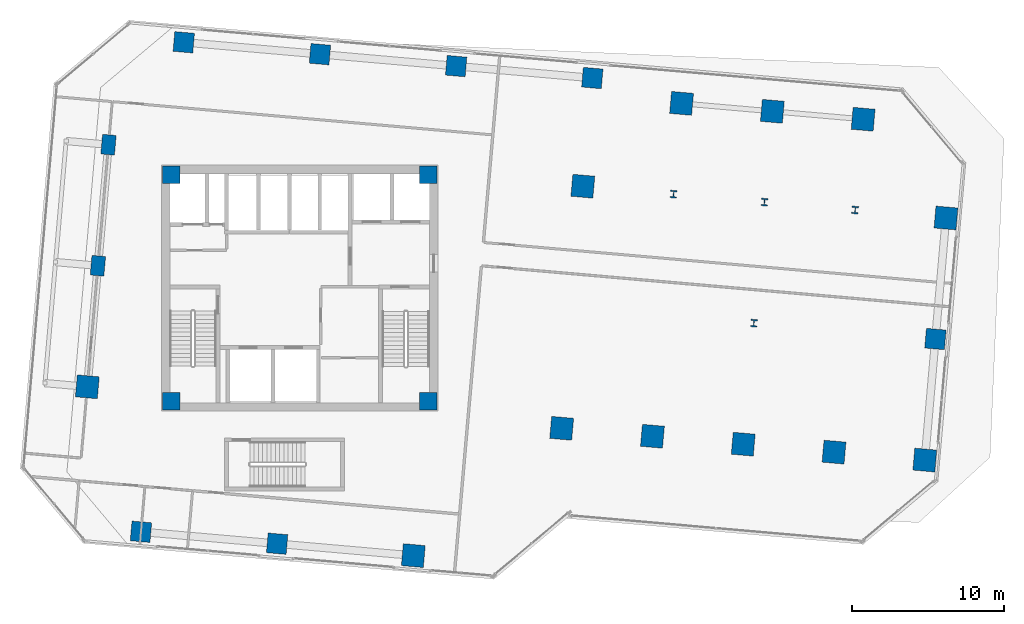
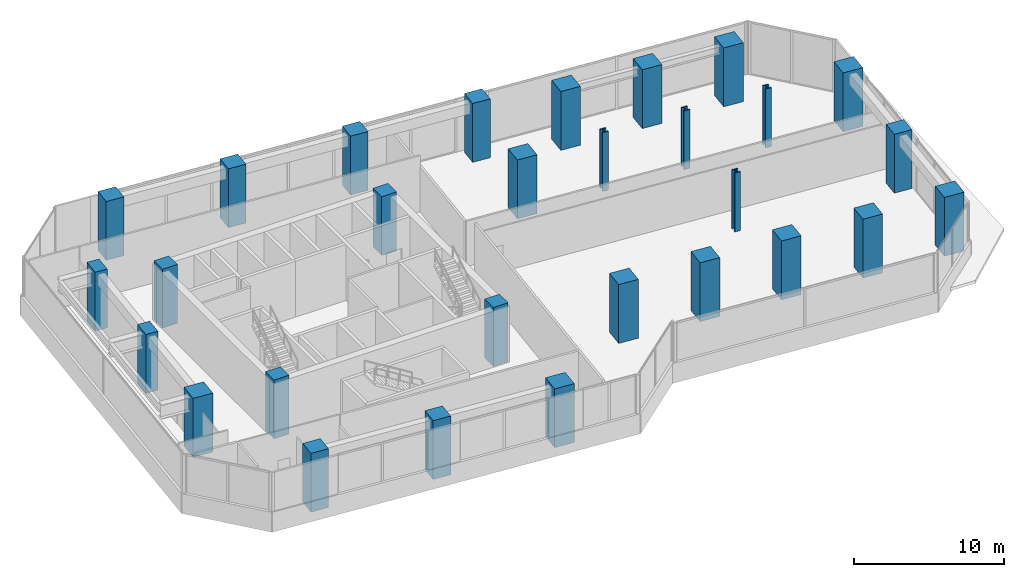
# One storey, part 1 of 24: 29 columns.
"""IFC4 building model written with IfcOpenShell, lengths in metres."""

from ifc_helpers import new_model, si_unit, direction, frame, origin, origin_2d, place, context, subcontext, project, spatial, rectangle, i_section, extrude, source, transform, mapped, material, material_profile, profile_set, type_object, element, save


model = new_model("IFC4")

# Units and contexts
model_context = context("Model", 3, precision=1e-05, world=origin(), true_north=direction((0.0, 1.0)))
body_context = subcontext(model_context, "Body", "Model", "MODEL_VIEW")
ifc_project = project(units=[si_unit("LENGTHUNIT", "METRE"), si_unit("AREAUNIT", "SQUARE_METRE"), si_unit("VOLUMEUNIT", "CUBIC_METRE"), si_unit("PLANEANGLEUNIT", "RADIAN"), si_unit("MASSUNIT", "GRAM", prefix="KILO")], contexts=[model_context])

# Site, building, storey
site_placement = place(None, origin())
site = spatial("IfcSite", under=ifc_project, at=site_placement, CompositionType="ELEMENT")
building_placement = place(site_placement, origin())
building = spatial("IfcBuilding", under=site, at=building_placement, Name="Torre Montelarca", CompositionType="ELEMENT")
storey_placement = place(building_placement, frame((0.0, 0.0, 47.199951171875)))
storey = spatial("IfcBuildingStorey", under=building, at=storey_placement, Name="L10", CompositionType="ELEMENT", Elevation=47.199951171875)

# Columns
ifc_material_1 = material(Name="Concrete C55/67", Category="concrete")
ifc_material_profile_1 = material_profile(ifc_material_1, rectangle(XDim=0.89990234375, YDim=1.300048828125, at=origin_2d()), Name="RC1300X900", Category="concrete")
ifc_profile_set_1 = profile_set([ifc_material_profile_1], Name="Concrete C55/67")
column_type_1 = type_object("IfcColumnType", Name="COL-PIL1300-EXT", PredefinedType="PILASTER", material=ifc_profile_set_1)
shared_shape_1 = source(origin(), body_context, "Body", "SweptSolid", [
    extrude(rectangle(XDim=0.89990234375, YDim=1.300048828125, at=origin_2d()), origin(), (0.0, 0.0, 1.0), 4.798583984375),
])
for number, where, z_axis, x_axis, name in (
    (1, (4.714111328125, 33.468505859375, 0.000732421875), (0.0, 0.0, 1.0), (-0.996194698092, 0.087155742748, 0.0), "L10 Column 1W/E"),
    (2, (5.411376953125, 41.43798828125, 0.000732421875), (0.0, 0.0, 1.0), (-0.996194698092, 0.087155742748, 0.0), "L10 Column 1W/F"),
):
    element("IfcColumn", number, at=place(storey_placement, frame(where, z_axis=z_axis, x_axis=x_axis)), inside=storey, type_object=column_type_1, Name=name, PredefinedType="PILASTER", context=body_context, shape_type="MappedRepresentation", body=[
        mapped(shared_shape_1, transform((0.0, 0.0, 0.0), scale=1.0)),
    ])
ifc_material_2 = material(Name="Concrete C70/85", Category="concrete")
ifc_material_profile_2 = material_profile(ifc_material_2, rectangle(XDim=1.449951171875, YDim=1.449951171875, at=origin_2d()), Name="RC1450X1450", Category="concrete")
ifc_profile_set_2 = profile_set([ifc_material_profile_2], Name="Concrete C70/85")
column_type_2 = type_object("IfcColumnType", Name="COL-RC1450-EXT", PredefinedType="COLUMN", material=ifc_profile_set_2)
shared_shape_2 = source(origin(), body_context, "Body", "SweptSolid", [
    extrude(rectangle(XDim=1.449951171875, YDim=1.449951171875, at=origin_2d()), origin(), (0.0, 0.0, 1.0), 4.798583984375),
])
for number, where, z_axis, x_axis, name in (
    (3, (25.47998046875, 14.385986328125, 0.000732421875), (0.0, 0.0, 1.0), (-0.996194698092, 0.087155742748, 0.0), "L10 Perimeter Mega Column 4/CS"),
    (4, (59.15625, 20.6748046875, 0.000732421875), (0.0, 0.0, 1.0), (-0.996194698092, 0.087155742748, 0.0), "L10 Perimeter Mega Column 9/D"),
    (5, (60.55078125, 36.614013671875, 0.000732421875), (0.0, 0.0, 1.0), (-0.996194698092, 0.087155742748, 0.0), "L10 Perimeter Mega Column 9/F"),
    (6, (4.016845703125, 25.4990234375, 0.000732421875), (0.0, 0.0, 1.0), (-0.996194698092, 0.087155742748, 0.0), "L10 Perimeter Mega Column 1W/D"),
):
    element("IfcColumn", number, at=place(storey_placement, frame(where, z_axis=z_axis, x_axis=x_axis)), inside=storey, type_object=column_type_2, Name=name, PredefinedType="COLUMN", context=body_context, shape_type="MappedRepresentation", body=[
        mapped(shared_shape_2, transform((0.0, 0.0, 0.0), scale=1.0)),
    ])
ifc_material_profile_3 = material_profile(ifc_material_2, rectangle(XDim=1.449951171875, YDim=1.449951171875, at=origin_2d()), Name="RC1450X1450", Category="concrete")
ifc_profile_set_3 = profile_set([ifc_material_profile_3], Name="Concrete C70/85")
column_type_3 = type_object("IfcColumnType", Name="COL-RC1450", PredefinedType="COLUMN", material=ifc_profile_set_3)
shared_shape_3 = source(origin(), body_context, "Body", "SweptSolid", [
    extrude(rectangle(XDim=1.449951171875, YDim=1.449951171875, at=origin_2d()), origin(), (0.0, 0.0, 1.0), 4.798583984375),
])
for number, where, z_axis, x_axis, name in (
    (7, (35.24755859375, 22.7666015625, 0.000732421875), (0.0, 0.0, 1.0), (-0.996194698092, 0.087155742748, 0.0), "L10 Column 5/D"),
    (8, (36.64208984375, 38.705810546875, 0.000732421875), (0.0, 0.0, 1.0), (-0.996194698092, 0.087155742748, 0.0), "L10 Column 5/F"),
    (9, (41.224609375, 22.24365234375, 0.000732421875), (0.0, 0.0, 1.0), (-0.996194698092, 0.087155742748, 0.0), "L10 Column 6/D"),
    (10, (43.14208984375, 44.159912109375, 0.000732421875), (0.0, 0.0, 1.0), (-0.996194698092, 0.087155742748, 0.0), "L10 Column 6/G"),
    (11, (47.201904296875, 21.720703125, 0.000732421875), (0.0, 0.0, 1.0), (-0.996194698092, 0.087155742748, 0.0), "L10 Column 7/D"),
    (12, (49.119384765625, 43.63720703125, 0.000732421875), (0.0, 0.0, 1.0), (-0.996194698092, 0.087155742748, 0.0), "L10 Column 7/G"),
    (13, (53.17919921875, 21.197998046875, 0.000732421875), (0.0, 0.0, 1.0), (-0.996194698092, 0.087155742748, 0.0), "L10 Column 8/D"),
    (14, (55.096435546875, 43.1142578125, 0.000732421875), (0.0, 0.0, 1.0), (-0.996194698092, 0.087155742748, 0.0), "L10 Column 8/G"),
):
    element("IfcColumn", number, at=place(storey_placement, frame(where, z_axis=z_axis, x_axis=x_axis)), inside=storey, type_object=column_type_3, Name=name, PredefinedType="COLUMN", context=body_context, shape_type="MappedRepresentation", body=[
        mapped(shared_shape_3, transform((0.0, 0.0, 0.0), scale=1.0)),
    ])
ifc_material_profile_4 = material_profile(ifc_material_1, rectangle(XDim=1.14990234375, YDim=1.14990234375, at=origin_2d()), Name="RC1150X1150", Category="concrete")
ifc_profile_set_4 = profile_set([ifc_material_profile_4], Name="Concrete C55/67")
column_type_4 = type_object("IfcColumnType", Name="COL-RC1150", PredefinedType="COLUMN", material=ifc_profile_set_4)
shared_shape_4 = source(origin(), body_context, "Body", "SweptSolid", [
    extrude(rectangle(XDim=1.14990234375, YDim=1.14990234375, at=origin_2d()), origin(), (0.0, 0.0, 1.0), 4.798583984375),
])
for number, where, z_axis, x_axis, name in (
    (15, (9.550048828125, 24.550048828125, 0.000732421875), (0.0, 0.0, 1.0), (1.0, 0.0, 0.0), "L10 Plumb Core Corner Column 2D"),
    (16, (26.449951171875, 24.550048828125, 0.000732421875), (0.0, 0.0, 1.0), (1.0, 0.0, 0.0), "L10 Plumb Core Corner Column 4D"),
    (17, (9.550048828125, 39.449951171875, 0.000732421875), (0.0, 0.0, 1.0), (1.0, 0.0, 0.0), "L10 Plumb Core Corner Column 2F"),
    (18, (26.449951171875, 39.449951171875, 0.000732421875), (0.0, 0.0, 1.0), (1.0, 0.0, 0.0), "L10 Plumb Core Corner Column 4F"),
):
    element("IfcColumn", number, at=place(storey_placement, frame(where, z_axis=z_axis, x_axis=x_axis)), inside=storey, type_object=column_type_4, Name=name, PredefinedType="COLUMN", context=body_context, shape_type="MappedRepresentation", body=[
        mapped(shared_shape_4, transform((0.0, 0.0, 0.0), scale=1.0)),
    ])
ifc_material_profile_5 = material_profile(ifc_material_2, rectangle(XDim=1.300048828125, YDim=1.300048828125, at=origin_2d()), Name="RC1300X1300", Category="concrete")
ifc_profile_set_5 = profile_set([ifc_material_profile_5], Name="Concrete C70/85")
column_type_5 = type_object("IfcColumnType", Name="COL-RC1300-EXT", PredefinedType="COLUMN", material=ifc_profile_set_5)
shared_shape_5 = source(origin(), body_context, "Body", "SweptSolid", [
    extrude(rectangle(XDim=1.300048828125, YDim=1.300048828125, at=origin_2d()), origin(), (0.0, 0.0, 1.0), 4.798583984375),
])
for number, where, z_axis, x_axis, name in (
    (19, (7.548583984375, 15.954833984375, 0.000732421875), (0.0, 0.0, 1.0), (-0.996194698092, 0.087155742748, 0.0), "L10 Column 2/CS"),
    (20, (10.367919921875, 48.181884765625, 0.000732421875), (0.0, 0.0, 1.0), (-0.996194698092, 0.087155742748, 0.0), "L10 Column 2/GN"),
    (21, (16.51416015625, 15.17041015625, 0.000732421875), (0.0, 0.0, 1.0), (-0.996194698092, 0.087155742748, 0.0), "L10 Column 3/CS"),
    (22, (19.333740234375, 47.3974609375, 0.000732421875), (0.0, 0.0, 1.0), (-0.996194698092, 0.087155742748, 0.0), "L10 Column 3/GN"),
    (23, (28.299560546875, 46.613037109375, 0.000732421875), (0.0, 0.0, 1.0), (-0.996194698092, 0.087155742748, 0.0), "L10 Column 4/GN"),
    (24, (37.26513671875, 45.82861328125, 0.000732421875), (0.0, 0.0, 1.0), (-0.996194698092, 0.087155742748, 0.0), "L10 Column 5/GN"),
    (25, (59.853515625, 28.64453125, 0.000732421875), (0.0, 0.0, 1.0), (-0.996194698092, 0.087155742748, 0.0), "L10 Column 9/E"),
):
    element("IfcColumn", number, at=place(storey_placement, frame(where, z_axis=z_axis, x_axis=x_axis)), inside=storey, type_object=column_type_5, Name=name, PredefinedType="COLUMN", context=body_context, shape_type="MappedRepresentation", body=[
        mapped(shared_shape_5, transform((0.0, 0.0, 0.0), scale=1.0)),
    ])
ifc_material_3 = material(Name="Steel ASTM A992 Grade 50", Category="steel")
ifc_material_profile_6 = material_profile(ifc_material_3, i_section(OverallWidth=0.431884765625, OverallDepth=0.498046875, WebThickness=0.0556640625, FlangeThickness=0.0888671875, FilletRadius=0.014892578125, at=origin_2d()), Name="W360X744", Category="steel")
ifc_profile_set_6 = profile_set([ifc_material_profile_6], Name="Steel ASTM A992 Grade 50")
column_type_6 = type_object("IfcColumnType", Name="COL-W360X744", PredefinedType="COLUMN", material=ifc_profile_set_6)
shared_shape_6 = source(origin(), body_context, "Body", "SweptSolid", [
    extrude(i_section(OverallWidth=0.431884765625, OverallDepth=0.498046875, WebThickness=0.0556640625, FlangeThickness=0.0888671875, FilletRadius=0.014892578125, at=origin_2d()), origin(), (0.0, 0.0, 1.0), 4.798583984375),
])
for number, where, z_axis, x_axis, name in (
    (26, (42.619140625, 38.182861328125, 0.000732421875), (0.0, 0.0, 1.0), (-0.996194698092, 0.087155742748, 0.0), "L10 Column 6/F"),
    (27, (47.899169921875, 29.6904296875, 0.000732421875), (0.0, 0.0, 1.0), (-0.996194698092, 0.087155742748, 0.0), "L10 Column 7/E"),
    (28, (48.596435546875, 37.659912109375, 0.000732421875), (0.0, 0.0, 1.0), (-0.996194698092, 0.087155742748, 0.0), "L10 Column 7/F"),
    (29, (54.573486328125, 37.136962890625, 0.000732421875), (0.0, 0.0, 1.0), (-0.996194698092, 0.087155742748, 0.0), "L10 Column 8/F"),
):
    element("IfcColumn", number, at=place(storey_placement, frame(where, z_axis=z_axis, x_axis=x_axis)), inside=storey, type_object=column_type_6, Name=name, PredefinedType="COLUMN", context=body_context, shape_type="MappedRepresentation", body=[
        mapped(shared_shape_6, transform((0.0, 0.0, 0.0), scale=1.0)),
    ])

save(model, "model.ifc")
